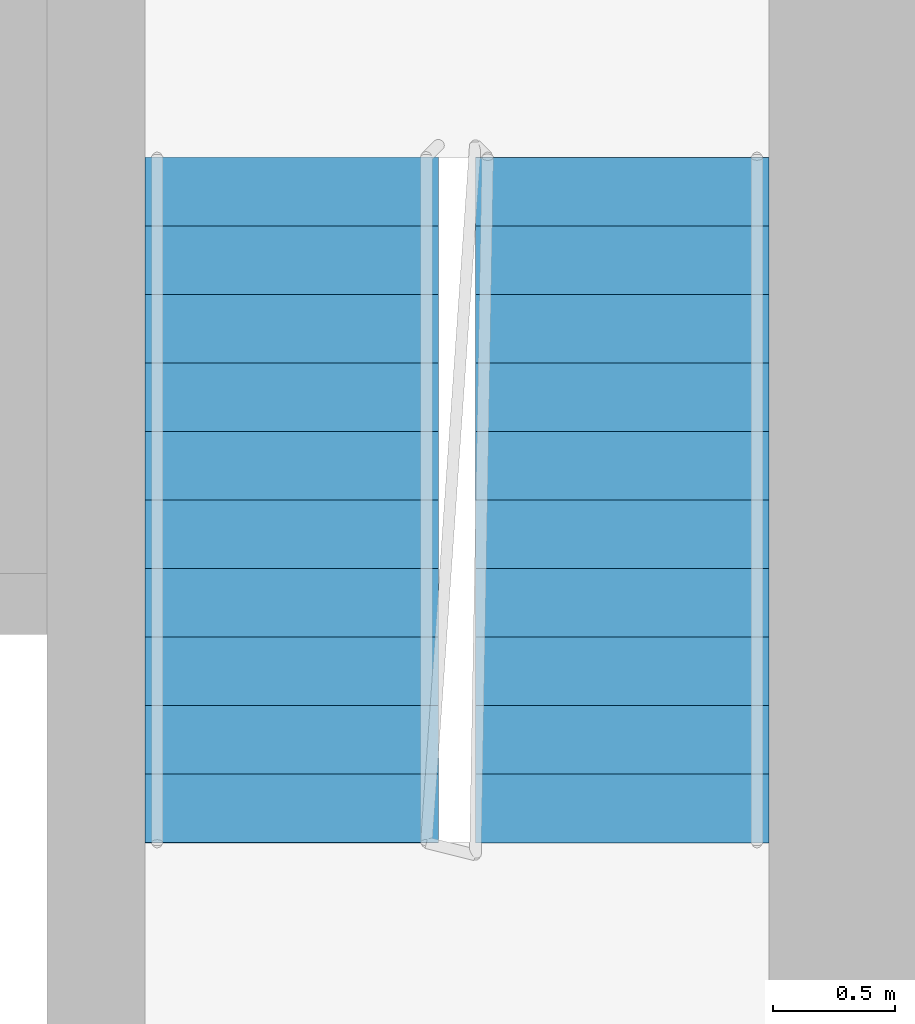
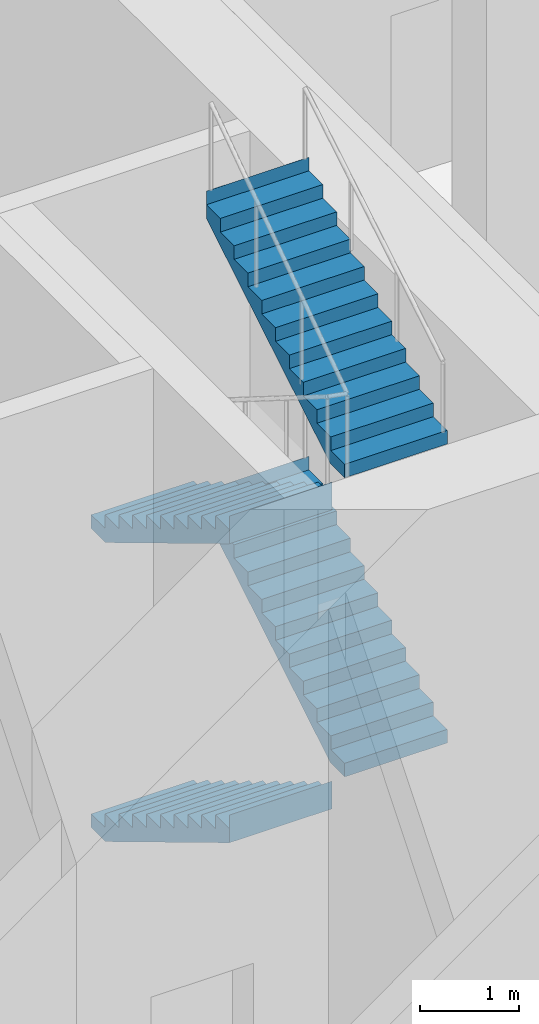
# One storey, part 18 of 25: 4 stair flights, 1 element without a shape of its own.
"""IFC4 building model written with IfcOpenShell, lengths in metres."""

from ifc_helpers import new_model, si_unit, direction, frame, origin, place, context, subcontext, project, spatial, faceted_brep, material, type_object, element, aggregate, save


model = new_model("IFC4")

# Units and contexts
model_context = context("Model", 3, precision=1e-05, world=origin(), true_north=direction((0.0, 1.0)))
body_context = subcontext(model_context, "Body", "Model", "MODEL_VIEW")
ifc_project = project(units=[si_unit("LENGTHUNIT", "METRE"), si_unit("AREAUNIT", "SQUARE_METRE"), si_unit("VOLUMEUNIT", "CUBIC_METRE"), si_unit("PLANEANGLEUNIT", "RADIAN"), si_unit("MASSUNIT", "GRAM", prefix="KILO")], contexts=[model_context])

# Site, building, storey
site_placement = place(None, origin())
site = spatial("IfcSite", under=ifc_project, at=site_placement, CompositionType="ELEMENT")
building_placement = place(site_placement, origin())
building = spatial("IfcBuilding", under=site, at=building_placement, Name="Kajstack Hotel Tower", CompositionType="ELEMENT")
storey_placement = place(building_placement, frame((0.0, 0.0, 155.0)))
storey = spatial("IfcBuildingStorey", under=building, at=storey_placement, Name="L36", CompositionType="ELEMENT", Elevation=155.0)

# Stair, stair flights
ifc_material = material(Name="Concrete C40/50", Category="concrete")
stair_type = type_object("IfcStairType", Name="Exit stair 1200", PredefinedType="HALF_TURN_STAIR", material=ifc_material)
stair_placement = place(storey_placement, origin())
stair = element("IfcStair", 1, at=stair_placement, inside=storey, type_object=stair_type, Name="L36 stair W2", PredefinedType="HALF_TURN_STAIR")
stair_flight_type = type_object("IfcStairFlightType", Name="Exit stair flight 1200", PredefinedType="STRAIGHT", material=ifc_material)
stair_flight_1_placement = place(storey_placement, frame((-16.35009765625, -10.0, 0.0), z_axis=(0.0, 0.0, 1.0), x_axis=(0.0, -1.0, 0.0)))
stair_flight_1 = element("IfcStairFlight", 2, at=stair_flight_1_placement, type_object=stair_flight_type, Name="W2 flight 1", NumberOfRisers=11, NumberOfTreads=10, PredefinedType="STRAIGHT", RiserHeight=0.168181818, TreadLength=0.28, context=body_context, shape_type="Brep", body=[
    faceted_brep([(0.291748046875, -0.60009765625, 0.0), (2.800537109375, -0.60009765625, 1.5068359375), (2.800537109375, -0.60009765625, 1.85009765625), (2.800048828125, -0.60009765625, 1.85009765625), (2.800048828125, -0.60009765625, 1.681884765625), (2.52001953125, -0.60009765625, 1.681884765625), (2.52001953125, -0.60009765625, 1.513671875), (2.239990234375, -0.60009765625, 1.513671875), (2.239990234375, -0.60009765625, 1.345458984375), (1.9599609375, -0.60009765625, 1.345458984375), (1.9599609375, -0.60009765625, 1.17724609375), (1.679931640625, -0.60009765625, 1.17724609375), (1.679931640625, -0.60009765625, 1.009033203125), (1.39990234375, -0.60009765625, 1.009033203125), (1.39990234375, -0.60009765625, 0.8408203125), (1.1201171875, -0.60009765625, 0.8408203125), (1.1201171875, -0.60009765625, 0.672607421875), (0.840087890625, -0.60009765625, 0.672607421875), (0.840087890625, -0.60009765625, 0.504638671875), (0.56005859375, -0.60009765625, 0.504638671875), (0.56005859375, -0.60009765625, 0.33642578125), (0.280029296875, -0.60009765625, 0.33642578125), (0.280029296875, -0.60009765625, 0.168212890625), (-0.00048828125, -0.60009765625, 0.168212890625), (-0.00048828125, -0.60009765625, 0.0), (-0.00048828125, 0.60009765625, 0.0), (-0.00048828125, 0.60009765625, 0.168212890625), (0.280029296875, 0.60009765625, 0.168212890625), (0.280029296875, 0.60009765625, 0.33642578125), (0.56005859375, 0.60009765625, 0.33642578125), (0.56005859375, 0.60009765625, 0.504638671875), (0.840087890625, 0.60009765625, 0.504638671875), (0.840087890625, 0.60009765625, 0.672607421875), (1.1201171875, 0.60009765625, 0.672607421875), (1.1201171875, 0.60009765625, 0.8408203125), (1.39990234375, 0.60009765625, 0.8408203125), (1.39990234375, 0.60009765625, 1.009033203125), (1.679931640625, 0.60009765625, 1.009033203125), (1.679931640625, 0.60009765625, 1.17724609375), (1.9599609375, 0.60009765625, 1.17724609375), (1.9599609375, 0.60009765625, 1.345458984375), (2.239990234375, 0.60009765625, 1.345458984375), (2.239990234375, 0.60009765625, 1.513671875), (2.52001953125, 0.60009765625, 1.513671875), (2.52001953125, 0.60009765625, 1.681884765625), (2.800048828125, 0.60009765625, 1.681884765625), (2.800048828125, 0.60009765625, 1.85009765625), (2.800537109375, 0.60009765625, 1.85009765625), (2.800537109375, 0.60009765625, 1.5068359375), (0.291748046875, 0.60009765625, 0.0), (-0.00048828125, -0.300048828125, 0.168212890625), (-0.00048828125, 0.0, 0.168212890625), (-0.00048828125, 0.300048828125, 0.168212890625), (-0.00048828125, 0.300048828125, 0.0), (-0.00048828125, 0.0, 0.0), (-0.00048828125, -0.300048828125, 0.0), (0.280029296875, -0.300048828125, 0.168212890625), (0.280029296875, 0.0, 0.168212890625), (0.280029296875, 0.300048828125, 0.168212890625), (0.280029296875, -0.300048828125, 0.33642578125), (0.280029296875, 0.0, 0.33642578125), (0.280029296875, 0.300048828125, 0.33642578125), (0.56005859375, -0.300048828125, 0.33642578125), (0.56005859375, 0.0, 0.33642578125), (0.56005859375, 0.300048828125, 0.33642578125), (0.56005859375, -0.300048828125, 0.504638671875), (0.56005859375, 0.0, 0.504638671875), (0.56005859375, 0.300048828125, 0.504638671875), (0.840087890625, -0.300048828125, 0.504638671875), (0.840087890625, 0.0, 0.504638671875), (0.840087890625, 0.300048828125, 0.504638671875), (0.840087890625, -0.300048828125, 0.672607421875), (0.840087890625, 0.0, 0.672607421875), (0.840087890625, 0.300048828125, 0.672607421875), (1.1201171875, -0.300048828125, 0.672607421875), (1.1201171875, 0.0, 0.672607421875), (1.1201171875, 0.300048828125, 0.672607421875), (1.1201171875, -0.300048828125, 0.8408203125), (1.1201171875, 0.0, 0.8408203125), (1.1201171875, 0.300048828125, 0.8408203125), (1.39990234375, -0.300048828125, 0.8408203125), (1.39990234375, 0.0, 0.8408203125), (1.39990234375, 0.300048828125, 0.8408203125), (1.39990234375, -0.300048828125, 1.009033203125), (1.39990234375, 0.0, 1.009033203125), (1.39990234375, 0.300048828125, 1.009033203125), (1.679931640625, -0.300048828125, 1.009033203125), (1.679931640625, 0.0, 1.009033203125), (1.679931640625, 0.300048828125, 1.009033203125), (1.679931640625, -0.300048828125, 1.17724609375), (1.679931640625, 0.0, 1.17724609375), (1.679931640625, 0.300048828125, 1.17724609375), (1.9599609375, -0.300048828125, 1.17724609375), (1.9599609375, 0.0, 1.17724609375), (1.9599609375, 0.300048828125, 1.17724609375), (1.9599609375, -0.300048828125, 1.345458984375), (1.9599609375, 0.0, 1.345458984375), (1.9599609375, 0.300048828125, 1.345458984375), (2.239990234375, -0.300048828125, 1.345458984375), (2.239990234375, 0.0, 1.345458984375), (2.239990234375, 0.300048828125, 1.345458984375), (2.239990234375, -0.300048828125, 1.513671875), (2.239990234375, 0.0, 1.513671875), (2.239990234375, 0.300048828125, 1.513671875), (2.52001953125, -0.300048828125, 1.513671875), (2.52001953125, 0.0, 1.513671875), (2.52001953125, 0.300048828125, 1.513671875), (2.52001953125, -0.300048828125, 1.681884765625), (2.52001953125, 0.0, 1.681884765625), (2.52001953125, 0.300048828125, 1.681884765625), (2.800048828125, -0.300048828125, 1.681884765625), (2.800048828125, 0.0, 1.681884765625), (2.800048828125, 0.300048828125, 1.681884765625), (2.800048828125, -0.300048828125, 1.85009765625), (2.800048828125, 0.0, 1.85009765625), (2.800048828125, 0.300048828125, 1.85009765625), (2.800537109375, -0.300048828125, 1.85009765625), (2.800537109375, 0.0, 1.85009765625), (2.800537109375, 0.300048828125, 1.85009765625), (2.800537109375, -0.300048828125, 1.5068359375), (2.800537109375, 0.0, 1.5068359375), (2.800537109375, 0.300048828125, 1.5068359375), (0.291748046875, -0.300048828125, 0.0), (0.291748046875, 0.0, 0.0), (0.291748046875, 0.300048828125, 0.0)], [[[0, 1, 2, 3, 4, 5, 6, 7, 8, 9, 10, 11, 12, 13, 14, 15, 16, 17, 18, 19, 20, 21, 22, 23, 24]], [[25, 26, 27, 28, 29, 30, 31, 32, 33, 34, 35, 36, 37, 38, 39, 40, 41, 42, 43, 44, 45, 46, 47, 48, 49]], [[23, 50, 51, 52, 26, 25, 53, 54, 55, 24]], [[22, 56, 57, 58, 27, 26, 52, 51, 50, 23]], [[21, 59, 60, 61, 28, 27, 58, 57, 56, 22]], [[20, 62, 63, 64, 29, 28, 61, 60, 59, 21]], [[19, 65, 66, 67, 30, 29, 64, 63, 62, 20]], [[18, 68, 69, 70, 31, 30, 67, 66, 65, 19]], [[17, 71, 72, 73, 32, 31, 70, 69, 68, 18]], [[16, 74, 75, 76, 33, 32, 73, 72, 71, 17]], [[15, 77, 78, 79, 34, 33, 76, 75, 74, 16]], [[14, 80, 81, 82, 35, 34, 79, 78, 77, 15]], [[13, 83, 84, 85, 36, 35, 82, 81, 80, 14]], [[12, 86, 87, 88, 37, 36, 85, 84, 83, 13]], [[11, 89, 90, 91, 38, 37, 88, 87, 86, 12]], [[10, 92, 93, 94, 39, 38, 91, 90, 89, 11]], [[9, 95, 96, 97, 40, 39, 94, 93, 92, 10]], [[8, 98, 99, 100, 41, 40, 97, 96, 95, 9]], [[7, 101, 102, 103, 42, 41, 100, 99, 98, 8]], [[6, 104, 105, 106, 43, 42, 103, 102, 101, 7]], [[5, 107, 108, 109, 44, 43, 106, 105, 104, 6]], [[4, 110, 111, 112, 45, 44, 109, 108, 107, 5]], [[3, 113, 114, 115, 46, 45, 112, 111, 110, 4]], [[2, 116, 117, 118, 47, 46, 115, 114, 113, 3]], [[1, 119, 120, 121, 48, 47, 118, 117, 116, 2]], [[0, 122, 123, 124, 49, 48, 121, 120, 119, 1]], [[24, 55, 54, 53, 25, 49, 124, 123, 122, 0]]]),
])
stair_flight_2_placement = place(storey_placement, frame((-15.0, -12.800048828125, 1.85009765625), z_axis=(0.0, 0.0, 1.0), x_axis=(0.0, 1.0, 0.0)))
stair_flight_2 = element("IfcStairFlight", 3, at=stair_flight_2_placement, type_object=stair_flight_type, Name="W2 flight 2", NumberOfRisers=11, NumberOfTreads=10, PredefinedType="STRAIGHT", RiserHeight=0.168181818, TreadLength=0.28, context=body_context, shape_type="Brep", body=[
    faceted_brep([(0.291748046875, -0.60009765625, 0.0), (2.800537109375, -0.60009765625, 1.5068359375), (2.800537109375, -0.60009765625, 1.85009765625), (2.800048828125, -0.60009765625, 1.85009765625), (2.800048828125, -0.60009765625, 1.681884765625), (2.52001953125, -0.60009765625, 1.681884765625), (2.52001953125, -0.60009765625, 1.513671875), (2.239990234375, -0.60009765625, 1.513671875), (2.239990234375, -0.60009765625, 1.345458984375), (1.9599609375, -0.60009765625, 1.345458984375), (1.9599609375, -0.60009765625, 1.17724609375), (1.679931640625, -0.60009765625, 1.17724609375), (1.679931640625, -0.60009765625, 1.009033203125), (1.39990234375, -0.60009765625, 1.009033203125), (1.39990234375, -0.60009765625, 0.8408203125), (1.1201171875, -0.60009765625, 0.8408203125), (1.1201171875, -0.60009765625, 0.672607421875), (0.840087890625, -0.60009765625, 0.672607421875), (0.840087890625, -0.60009765625, 0.504638671875), (0.56005859375, -0.60009765625, 0.504638671875), (0.56005859375, -0.60009765625, 0.33642578125), (0.280029296875, -0.60009765625, 0.33642578125), (0.280029296875, -0.60009765625, 0.168212890625), (-0.00048828125, -0.60009765625, 0.168212890625), (-0.00048828125, -0.60009765625, 0.0), (-0.00048828125, 0.60009765625, 0.0), (-0.00048828125, 0.60009765625, 0.168212890625), (0.280029296875, 0.60009765625, 0.168212890625), (0.280029296875, 0.60009765625, 0.33642578125), (0.56005859375, 0.60009765625, 0.33642578125), (0.56005859375, 0.60009765625, 0.504638671875), (0.840087890625, 0.60009765625, 0.504638671875), (0.840087890625, 0.60009765625, 0.672607421875), (1.1201171875, 0.60009765625, 0.672607421875), (1.1201171875, 0.60009765625, 0.8408203125), (1.39990234375, 0.60009765625, 0.8408203125), (1.39990234375, 0.60009765625, 1.009033203125), (1.679931640625, 0.60009765625, 1.009033203125), (1.679931640625, 0.60009765625, 1.17724609375), (1.9599609375, 0.60009765625, 1.17724609375), (1.9599609375, 0.60009765625, 1.345458984375), (2.239990234375, 0.60009765625, 1.345458984375), (2.239990234375, 0.60009765625, 1.513671875), (2.52001953125, 0.60009765625, 1.513671875), (2.52001953125, 0.60009765625, 1.681884765625), (2.800048828125, 0.60009765625, 1.681884765625), (2.800048828125, 0.60009765625, 1.85009765625), (2.800537109375, 0.60009765625, 1.85009765625), (2.800537109375, 0.60009765625, 1.5068359375), (0.291748046875, 0.60009765625, 0.0), (-0.00048828125, -0.300048828125, 0.168212890625), (-0.00048828125, 0.0, 0.168212890625), (-0.00048828125, 0.300048828125, 0.168212890625), (-0.00048828125, 0.300048828125, 0.0), (-0.00048828125, 0.0, 0.0), (-0.00048828125, -0.300048828125, 0.0), (0.280029296875, -0.300048828125, 0.168212890625), (0.280029296875, 0.0, 0.168212890625), (0.280029296875, 0.300048828125, 0.168212890625), (0.280029296875, -0.300048828125, 0.33642578125), (0.280029296875, 0.0, 0.33642578125), (0.280029296875, 0.300048828125, 0.33642578125), (0.56005859375, -0.300048828125, 0.33642578125), (0.56005859375, 0.0, 0.33642578125), (0.56005859375, 0.300048828125, 0.33642578125), (0.56005859375, -0.300048828125, 0.504638671875), (0.56005859375, 0.0, 0.504638671875), (0.56005859375, 0.300048828125, 0.504638671875), (0.840087890625, -0.300048828125, 0.504638671875), (0.840087890625, 0.0, 0.504638671875), (0.840087890625, 0.300048828125, 0.504638671875), (0.840087890625, -0.300048828125, 0.672607421875), (0.840087890625, 0.0, 0.672607421875), (0.840087890625, 0.300048828125, 0.672607421875), (1.1201171875, -0.300048828125, 0.672607421875), (1.1201171875, 0.0, 0.672607421875), (1.1201171875, 0.300048828125, 0.672607421875), (1.1201171875, -0.300048828125, 0.8408203125), (1.1201171875, 0.0, 0.8408203125), (1.1201171875, 0.300048828125, 0.8408203125), (1.39990234375, -0.300048828125, 0.8408203125), (1.39990234375, 0.0, 0.8408203125), (1.39990234375, 0.300048828125, 0.8408203125), (1.39990234375, -0.300048828125, 1.009033203125), (1.39990234375, 0.0, 1.009033203125), (1.39990234375, 0.300048828125, 1.009033203125), (1.679931640625, -0.300048828125, 1.009033203125), (1.679931640625, 0.0, 1.009033203125), (1.679931640625, 0.300048828125, 1.009033203125), (1.679931640625, -0.300048828125, 1.17724609375), (1.679931640625, 0.0, 1.17724609375), (1.679931640625, 0.300048828125, 1.17724609375), (1.9599609375, -0.300048828125, 1.17724609375), (1.9599609375, 0.0, 1.17724609375), (1.9599609375, 0.300048828125, 1.17724609375), (1.9599609375, -0.300048828125, 1.345458984375), (1.9599609375, 0.0, 1.345458984375), (1.9599609375, 0.300048828125, 1.345458984375), (2.239990234375, -0.300048828125, 1.345458984375), (2.239990234375, 0.0, 1.345458984375), (2.239990234375, 0.300048828125, 1.345458984375), (2.239990234375, -0.300048828125, 1.513671875), (2.239990234375, 0.0, 1.513671875), (2.239990234375, 0.300048828125, 1.513671875), (2.52001953125, -0.300048828125, 1.513671875), (2.52001953125, 0.0, 1.513671875), (2.52001953125, 0.300048828125, 1.513671875), (2.52001953125, -0.300048828125, 1.681884765625), (2.52001953125, 0.0, 1.681884765625), (2.52001953125, 0.300048828125, 1.681884765625), (2.800048828125, -0.300048828125, 1.681884765625), (2.800048828125, 0.0, 1.681884765625), (2.800048828125, 0.300048828125, 1.681884765625), (2.800048828125, -0.300048828125, 1.85009765625), (2.800048828125, 0.0, 1.85009765625), (2.800048828125, 0.300048828125, 1.85009765625), (2.800537109375, -0.300048828125, 1.85009765625), (2.800537109375, 0.0, 1.85009765625), (2.800537109375, 0.300048828125, 1.85009765625), (2.800537109375, -0.300048828125, 1.5068359375), (2.800537109375, 0.0, 1.5068359375), (2.800537109375, 0.300048828125, 1.5068359375), (0.291748046875, -0.300048828125, 0.0), (0.291748046875, 0.0, 0.0), (0.291748046875, 0.300048828125, 0.0)], [[[0, 1, 2, 3, 4, 5, 6, 7, 8, 9, 10, 11, 12, 13, 14, 15, 16, 17, 18, 19, 20, 21, 22, 23, 24]], [[25, 26, 27, 28, 29, 30, 31, 32, 33, 34, 35, 36, 37, 38, 39, 40, 41, 42, 43, 44, 45, 46, 47, 48, 49]], [[23, 50, 51, 52, 26, 25, 53, 54, 55, 24]], [[22, 56, 57, 58, 27, 26, 52, 51, 50, 23]], [[21, 59, 60, 61, 28, 27, 58, 57, 56, 22]], [[20, 62, 63, 64, 29, 28, 61, 60, 59, 21]], [[19, 65, 66, 67, 30, 29, 64, 63, 62, 20]], [[18, 68, 69, 70, 31, 30, 67, 66, 65, 19]], [[17, 71, 72, 73, 32, 31, 70, 69, 68, 18]], [[16, 74, 75, 76, 33, 32, 73, 72, 71, 17]], [[15, 77, 78, 79, 34, 33, 76, 75, 74, 16]], [[14, 80, 81, 82, 35, 34, 79, 78, 77, 15]], [[13, 83, 84, 85, 36, 35, 82, 81, 80, 14]], [[12, 86, 87, 88, 37, 36, 85, 84, 83, 13]], [[11, 89, 90, 91, 38, 37, 88, 87, 86, 12]], [[10, 92, 93, 94, 39, 38, 91, 90, 89, 11]], [[9, 95, 96, 97, 40, 39, 94, 93, 92, 10]], [[8, 98, 99, 100, 41, 40, 97, 96, 95, 9]], [[7, 101, 102, 103, 42, 41, 100, 99, 98, 8]], [[6, 104, 105, 106, 43, 42, 103, 102, 101, 7]], [[5, 107, 108, 109, 44, 43, 106, 105, 104, 6]], [[4, 110, 111, 112, 45, 44, 109, 108, 107, 5]], [[3, 113, 114, 115, 46, 45, 112, 111, 110, 4]], [[2, 116, 117, 118, 47, 46, 115, 114, 113, 3]], [[1, 119, 120, 121, 48, 47, 118, 117, 116, 2]], [[0, 122, 123, 124, 49, 48, 121, 120, 119, 1]], [[24, 55, 54, 53, 25, 49, 124, 123, 122, 0]]]),
])
stair_flight_3_placement = place(storey_placement, frame((-16.35009765625, -10.0, 3.699951171875), z_axis=(0.0, 0.0, 1.0), x_axis=(0.0, -1.0, 0.0)))
stair_flight_3 = element("IfcStairFlight", 4, at=stair_flight_3_placement, type_object=stair_flight_type, Name="W2 flight 3", NumberOfRisers=11, NumberOfTreads=10, PredefinedType="STRAIGHT", RiserHeight=0.168181818, TreadLength=0.28, context=body_context, shape_type="Brep", body=[
    faceted_brep([(0.291748046875, -0.60009765625, 0.0), (2.800537109375, -0.60009765625, 1.5068359375), (2.800537109375, -0.60009765625, 1.85009765625), (2.800048828125, -0.60009765625, 1.85009765625), (2.800048828125, -0.60009765625, 1.681884765625), (2.52001953125, -0.60009765625, 1.681884765625), (2.52001953125, -0.60009765625, 1.513671875), (2.239990234375, -0.60009765625, 1.513671875), (2.239990234375, -0.60009765625, 1.345458984375), (1.9599609375, -0.60009765625, 1.345458984375), (1.9599609375, -0.60009765625, 1.17724609375), (1.679931640625, -0.60009765625, 1.17724609375), (1.679931640625, -0.60009765625, 1.009033203125), (1.39990234375, -0.60009765625, 1.009033203125), (1.39990234375, -0.60009765625, 0.8408203125), (1.1201171875, -0.60009765625, 0.8408203125), (1.1201171875, -0.60009765625, 0.672607421875), (0.840087890625, -0.60009765625, 0.672607421875), (0.840087890625, -0.60009765625, 0.504638671875), (0.56005859375, -0.60009765625, 0.504638671875), (0.56005859375, -0.60009765625, 0.33642578125), (0.280029296875, -0.60009765625, 0.33642578125), (0.280029296875, -0.60009765625, 0.168212890625), (-0.00048828125, -0.60009765625, 0.168212890625), (-0.00048828125, -0.60009765625, 0.0), (-0.00048828125, 0.60009765625, 0.0), (-0.00048828125, 0.60009765625, 0.168212890625), (0.280029296875, 0.60009765625, 0.168212890625), (0.280029296875, 0.60009765625, 0.33642578125), (0.56005859375, 0.60009765625, 0.33642578125), (0.56005859375, 0.60009765625, 0.504638671875), (0.840087890625, 0.60009765625, 0.504638671875), (0.840087890625, 0.60009765625, 0.672607421875), (1.1201171875, 0.60009765625, 0.672607421875), (1.1201171875, 0.60009765625, 0.8408203125), (1.39990234375, 0.60009765625, 0.8408203125), (1.39990234375, 0.60009765625, 1.009033203125), (1.679931640625, 0.60009765625, 1.009033203125), (1.679931640625, 0.60009765625, 1.17724609375), (1.9599609375, 0.60009765625, 1.17724609375), (1.9599609375, 0.60009765625, 1.345458984375), (2.239990234375, 0.60009765625, 1.345458984375), (2.239990234375, 0.60009765625, 1.513671875), (2.52001953125, 0.60009765625, 1.513671875), (2.52001953125, 0.60009765625, 1.681884765625), (2.800048828125, 0.60009765625, 1.681884765625), (2.800048828125, 0.60009765625, 1.85009765625), (2.800537109375, 0.60009765625, 1.85009765625), (2.800537109375, 0.60009765625, 1.5068359375), (0.291748046875, 0.60009765625, 0.0), (-0.00048828125, -0.300048828125, 0.168212890625), (-0.00048828125, 0.0, 0.168212890625), (-0.00048828125, 0.300048828125, 0.168212890625), (-0.00048828125, 0.300048828125, 0.0), (-0.00048828125, 0.0, 0.0), (-0.00048828125, -0.300048828125, 0.0), (0.280029296875, -0.300048828125, 0.168212890625), (0.280029296875, 0.0, 0.168212890625), (0.280029296875, 0.300048828125, 0.168212890625), (0.280029296875, -0.300048828125, 0.33642578125), (0.280029296875, 0.0, 0.33642578125), (0.280029296875, 0.300048828125, 0.33642578125), (0.56005859375, -0.300048828125, 0.33642578125), (0.56005859375, 0.0, 0.33642578125), (0.56005859375, 0.300048828125, 0.33642578125), (0.56005859375, -0.300048828125, 0.504638671875), (0.56005859375, 0.0, 0.504638671875), (0.56005859375, 0.300048828125, 0.504638671875), (0.840087890625, -0.300048828125, 0.504638671875), (0.840087890625, 0.0, 0.504638671875), (0.840087890625, 0.300048828125, 0.504638671875), (0.840087890625, -0.300048828125, 0.672607421875), (0.840087890625, 0.0, 0.672607421875), (0.840087890625, 0.300048828125, 0.672607421875), (1.1201171875, -0.300048828125, 0.672607421875), (1.1201171875, 0.0, 0.672607421875), (1.1201171875, 0.300048828125, 0.672607421875), (1.1201171875, -0.300048828125, 0.8408203125), (1.1201171875, 0.0, 0.8408203125), (1.1201171875, 0.300048828125, 0.8408203125), (1.39990234375, -0.300048828125, 0.8408203125), (1.39990234375, 0.0, 0.8408203125), (1.39990234375, 0.300048828125, 0.8408203125), (1.39990234375, -0.300048828125, 1.009033203125), (1.39990234375, 0.0, 1.009033203125), (1.39990234375, 0.300048828125, 1.009033203125), (1.679931640625, -0.300048828125, 1.009033203125), (1.679931640625, 0.0, 1.009033203125), (1.679931640625, 0.300048828125, 1.009033203125), (1.679931640625, -0.300048828125, 1.17724609375), (1.679931640625, 0.0, 1.17724609375), (1.679931640625, 0.300048828125, 1.17724609375), (1.9599609375, -0.300048828125, 1.17724609375), (1.9599609375, 0.0, 1.17724609375), (1.9599609375, 0.300048828125, 1.17724609375), (1.9599609375, -0.300048828125, 1.345458984375), (1.9599609375, 0.0, 1.345458984375), (1.9599609375, 0.300048828125, 1.345458984375), (2.239990234375, -0.300048828125, 1.345458984375), (2.239990234375, 0.0, 1.345458984375), (2.239990234375, 0.300048828125, 1.345458984375), (2.239990234375, -0.300048828125, 1.513671875), (2.239990234375, 0.0, 1.513671875), (2.239990234375, 0.300048828125, 1.513671875), (2.52001953125, -0.300048828125, 1.513671875), (2.52001953125, 0.0, 1.513671875), (2.52001953125, 0.300048828125, 1.513671875), (2.52001953125, -0.300048828125, 1.681884765625), (2.52001953125, 0.0, 1.681884765625), (2.52001953125, 0.300048828125, 1.681884765625), (2.800048828125, -0.300048828125, 1.681884765625), (2.800048828125, 0.0, 1.681884765625), (2.800048828125, 0.300048828125, 1.681884765625), (2.800048828125, -0.300048828125, 1.85009765625), (2.800048828125, 0.0, 1.85009765625), (2.800048828125, 0.300048828125, 1.85009765625), (2.800537109375, -0.300048828125, 1.85009765625), (2.800537109375, 0.0, 1.85009765625), (2.800537109375, 0.300048828125, 1.85009765625), (2.800537109375, -0.300048828125, 1.5068359375), (2.800537109375, 0.0, 1.5068359375), (2.800537109375, 0.300048828125, 1.5068359375), (0.291748046875, -0.300048828125, 0.0), (0.291748046875, 0.0, 0.0), (0.291748046875, 0.300048828125, 0.0)], [[[0, 1, 2, 3, 4, 5, 6, 7, 8, 9, 10, 11, 12, 13, 14, 15, 16, 17, 18, 19, 20, 21, 22, 23, 24]], [[25, 26, 27, 28, 29, 30, 31, 32, 33, 34, 35, 36, 37, 38, 39, 40, 41, 42, 43, 44, 45, 46, 47, 48, 49]], [[23, 50, 51, 52, 26, 25, 53, 54, 55, 24]], [[22, 56, 57, 58, 27, 26, 52, 51, 50, 23]], [[21, 59, 60, 61, 28, 27, 58, 57, 56, 22]], [[20, 62, 63, 64, 29, 28, 61, 60, 59, 21]], [[19, 65, 66, 67, 30, 29, 64, 63, 62, 20]], [[18, 68, 69, 70, 31, 30, 67, 66, 65, 19]], [[17, 71, 72, 73, 32, 31, 70, 69, 68, 18]], [[16, 74, 75, 76, 33, 32, 73, 72, 71, 17]], [[15, 77, 78, 79, 34, 33, 76, 75, 74, 16]], [[14, 80, 81, 82, 35, 34, 79, 78, 77, 15]], [[13, 83, 84, 85, 36, 35, 82, 81, 80, 14]], [[12, 86, 87, 88, 37, 36, 85, 84, 83, 13]], [[11, 89, 90, 91, 38, 37, 88, 87, 86, 12]], [[10, 92, 93, 94, 39, 38, 91, 90, 89, 11]], [[9, 95, 96, 97, 40, 39, 94, 93, 92, 10]], [[8, 98, 99, 100, 41, 40, 97, 96, 95, 9]], [[7, 101, 102, 103, 42, 41, 100, 99, 98, 8]], [[6, 104, 105, 106, 43, 42, 103, 102, 101, 7]], [[5, 107, 108, 109, 44, 43, 106, 105, 104, 6]], [[4, 110, 111, 112, 45, 44, 109, 108, 107, 5]], [[3, 113, 114, 115, 46, 45, 112, 111, 110, 4]], [[2, 116, 117, 118, 47, 46, 115, 114, 113, 3]], [[1, 119, 120, 121, 48, 47, 118, 117, 116, 2]], [[0, 122, 123, 124, 49, 48, 121, 120, 119, 1]], [[24, 55, 54, 53, 25, 49, 124, 123, 122, 0]]]),
])
stair_flight_4_placement = place(storey_placement, frame((-15.0, -12.800048828125, 5.550048828125), z_axis=(0.0, 0.0, 1.0), x_axis=(0.0, 1.0, 0.0)))
stair_flight_4 = element("IfcStairFlight", 5, at=stair_flight_4_placement, type_object=stair_flight_type, Name="W2 flight 4", NumberOfRisers=11, NumberOfTreads=10, PredefinedType="STRAIGHT", RiserHeight=0.168181818, TreadLength=0.28, context=body_context, shape_type="Brep", body=[
    faceted_brep([(0.291748046875, -0.60009765625, 0.0), (2.800537109375, -0.60009765625, 1.5068359375), (2.800537109375, -0.60009765625, 1.85009765625), (2.800048828125, -0.60009765625, 1.85009765625), (2.800048828125, -0.60009765625, 1.681884765625), (2.52001953125, -0.60009765625, 1.681884765625), (2.52001953125, -0.60009765625, 1.513671875), (2.239990234375, -0.60009765625, 1.513671875), (2.239990234375, -0.60009765625, 1.345458984375), (1.9599609375, -0.60009765625, 1.345458984375), (1.9599609375, -0.60009765625, 1.17724609375), (1.679931640625, -0.60009765625, 1.17724609375), (1.679931640625, -0.60009765625, 1.009033203125), (1.39990234375, -0.60009765625, 1.009033203125), (1.39990234375, -0.60009765625, 0.8408203125), (1.1201171875, -0.60009765625, 0.8408203125), (1.1201171875, -0.60009765625, 0.672607421875), (0.840087890625, -0.60009765625, 0.672607421875), (0.840087890625, -0.60009765625, 0.504638671875), (0.56005859375, -0.60009765625, 0.504638671875), (0.56005859375, -0.60009765625, 0.33642578125), (0.280029296875, -0.60009765625, 0.33642578125), (0.280029296875, -0.60009765625, 0.168212890625), (-0.00048828125, -0.60009765625, 0.168212890625), (-0.00048828125, -0.60009765625, 0.0), (-0.00048828125, 0.60009765625, 0.0), (-0.00048828125, 0.60009765625, 0.168212890625), (0.280029296875, 0.60009765625, 0.168212890625), (0.280029296875, 0.60009765625, 0.33642578125), (0.56005859375, 0.60009765625, 0.33642578125), (0.56005859375, 0.60009765625, 0.504638671875), (0.840087890625, 0.60009765625, 0.504638671875), (0.840087890625, 0.60009765625, 0.672607421875), (1.1201171875, 0.60009765625, 0.672607421875), (1.1201171875, 0.60009765625, 0.8408203125), (1.39990234375, 0.60009765625, 0.8408203125), (1.39990234375, 0.60009765625, 1.009033203125), (1.679931640625, 0.60009765625, 1.009033203125), (1.679931640625, 0.60009765625, 1.17724609375), (1.9599609375, 0.60009765625, 1.17724609375), (1.9599609375, 0.60009765625, 1.345458984375), (2.239990234375, 0.60009765625, 1.345458984375), (2.239990234375, 0.60009765625, 1.513671875), (2.52001953125, 0.60009765625, 1.513671875), (2.52001953125, 0.60009765625, 1.681884765625), (2.800048828125, 0.60009765625, 1.681884765625), (2.800048828125, 0.60009765625, 1.85009765625), (2.800537109375, 0.60009765625, 1.85009765625), (2.800537109375, 0.60009765625, 1.5068359375), (0.291748046875, 0.60009765625, 0.0), (-0.00048828125, -0.300048828125, 0.168212890625), (-0.00048828125, 0.0, 0.168212890625), (-0.00048828125, 0.300048828125, 0.168212890625), (-0.00048828125, 0.300048828125, 0.0), (-0.00048828125, 0.0, 0.0), (-0.00048828125, -0.300048828125, 0.0), (0.280029296875, -0.300048828125, 0.168212890625), (0.280029296875, 0.0, 0.168212890625), (0.280029296875, 0.300048828125, 0.168212890625), (0.280029296875, -0.300048828125, 0.33642578125), (0.280029296875, 0.0, 0.33642578125), (0.280029296875, 0.300048828125, 0.33642578125), (0.56005859375, -0.300048828125, 0.33642578125), (0.56005859375, 0.0, 0.33642578125), (0.56005859375, 0.300048828125, 0.33642578125), (0.56005859375, -0.300048828125, 0.504638671875), (0.56005859375, 0.0, 0.504638671875), (0.56005859375, 0.300048828125, 0.504638671875), (0.840087890625, -0.300048828125, 0.504638671875), (0.840087890625, 0.0, 0.504638671875), (0.840087890625, 0.300048828125, 0.504638671875), (0.840087890625, -0.300048828125, 0.672607421875), (0.840087890625, 0.0, 0.672607421875), (0.840087890625, 0.300048828125, 0.672607421875), (1.1201171875, -0.300048828125, 0.672607421875), (1.1201171875, 0.0, 0.672607421875), (1.1201171875, 0.300048828125, 0.672607421875), (1.1201171875, -0.300048828125, 0.8408203125), (1.1201171875, 0.0, 0.8408203125), (1.1201171875, 0.300048828125, 0.8408203125), (1.39990234375, -0.300048828125, 0.8408203125), (1.39990234375, 0.0, 0.8408203125), (1.39990234375, 0.300048828125, 0.8408203125), (1.39990234375, -0.300048828125, 1.009033203125), (1.39990234375, 0.0, 1.009033203125), (1.39990234375, 0.300048828125, 1.009033203125), (1.679931640625, -0.300048828125, 1.009033203125), (1.679931640625, 0.0, 1.009033203125), (1.679931640625, 0.300048828125, 1.009033203125), (1.679931640625, -0.300048828125, 1.17724609375), (1.679931640625, 0.0, 1.17724609375), (1.679931640625, 0.300048828125, 1.17724609375), (1.9599609375, -0.300048828125, 1.17724609375), (1.9599609375, 0.0, 1.17724609375), (1.9599609375, 0.300048828125, 1.17724609375), (1.9599609375, -0.300048828125, 1.345458984375), (1.9599609375, 0.0, 1.345458984375), (1.9599609375, 0.300048828125, 1.345458984375), (2.239990234375, -0.300048828125, 1.345458984375), (2.239990234375, 0.0, 1.345458984375), (2.239990234375, 0.300048828125, 1.345458984375), (2.239990234375, -0.300048828125, 1.513671875), (2.239990234375, 0.0, 1.513671875), (2.239990234375, 0.300048828125, 1.513671875), (2.52001953125, -0.300048828125, 1.513671875), (2.52001953125, 0.0, 1.513671875), (2.52001953125, 0.300048828125, 1.513671875), (2.52001953125, -0.300048828125, 1.681884765625), (2.52001953125, 0.0, 1.681884765625), (2.52001953125, 0.300048828125, 1.681884765625), (2.800048828125, -0.300048828125, 1.681884765625), (2.800048828125, 0.0, 1.681884765625), (2.800048828125, 0.300048828125, 1.681884765625), (2.800048828125, -0.300048828125, 1.85009765625), (2.800048828125, 0.0, 1.85009765625), (2.800048828125, 0.300048828125, 1.85009765625), (2.800537109375, -0.300048828125, 1.85009765625), (2.800537109375, 0.0, 1.85009765625), (2.800537109375, 0.300048828125, 1.85009765625), (2.800537109375, -0.300048828125, 1.5068359375), (2.800537109375, 0.0, 1.5068359375), (2.800537109375, 0.300048828125, 1.5068359375), (0.291748046875, -0.300048828125, 0.0), (0.291748046875, 0.0, 0.0), (0.291748046875, 0.300048828125, 0.0)], [[[0, 1, 2, 3, 4, 5, 6, 7, 8, 9, 10, 11, 12, 13, 14, 15, 16, 17, 18, 19, 20, 21, 22, 23, 24]], [[25, 26, 27, 28, 29, 30, 31, 32, 33, 34, 35, 36, 37, 38, 39, 40, 41, 42, 43, 44, 45, 46, 47, 48, 49]], [[23, 50, 51, 52, 26, 25, 53, 54, 55, 24]], [[22, 56, 57, 58, 27, 26, 52, 51, 50, 23]], [[21, 59, 60, 61, 28, 27, 58, 57, 56, 22]], [[20, 62, 63, 64, 29, 28, 61, 60, 59, 21]], [[19, 65, 66, 67, 30, 29, 64, 63, 62, 20]], [[18, 68, 69, 70, 31, 30, 67, 66, 65, 19]], [[17, 71, 72, 73, 32, 31, 70, 69, 68, 18]], [[16, 74, 75, 76, 33, 32, 73, 72, 71, 17]], [[15, 77, 78, 79, 34, 33, 76, 75, 74, 16]], [[14, 80, 81, 82, 35, 34, 79, 78, 77, 15]], [[13, 83, 84, 85, 36, 35, 82, 81, 80, 14]], [[12, 86, 87, 88, 37, 36, 85, 84, 83, 13]], [[11, 89, 90, 91, 38, 37, 88, 87, 86, 12]], [[10, 92, 93, 94, 39, 38, 91, 90, 89, 11]], [[9, 95, 96, 97, 40, 39, 94, 93, 92, 10]], [[8, 98, 99, 100, 41, 40, 97, 96, 95, 9]], [[7, 101, 102, 103, 42, 41, 100, 99, 98, 8]], [[6, 104, 105, 106, 43, 42, 103, 102, 101, 7]], [[5, 107, 108, 109, 44, 43, 106, 105, 104, 6]], [[4, 110, 111, 112, 45, 44, 109, 108, 107, 5]], [[3, 113, 114, 115, 46, 45, 112, 111, 110, 4]], [[2, 116, 117, 118, 47, 46, 115, 114, 113, 3]], [[1, 119, 120, 121, 48, 47, 118, 117, 116, 2]], [[0, 122, 123, 124, 49, 48, 121, 120, 119, 1]], [[24, 55, 54, 53, 25, 49, 124, 123, 122, 0]]]),
])
aggregate(stair, [stair_flight_1, stair_flight_2, stair_flight_3, stair_flight_4])

save(model, "model.ifc")
